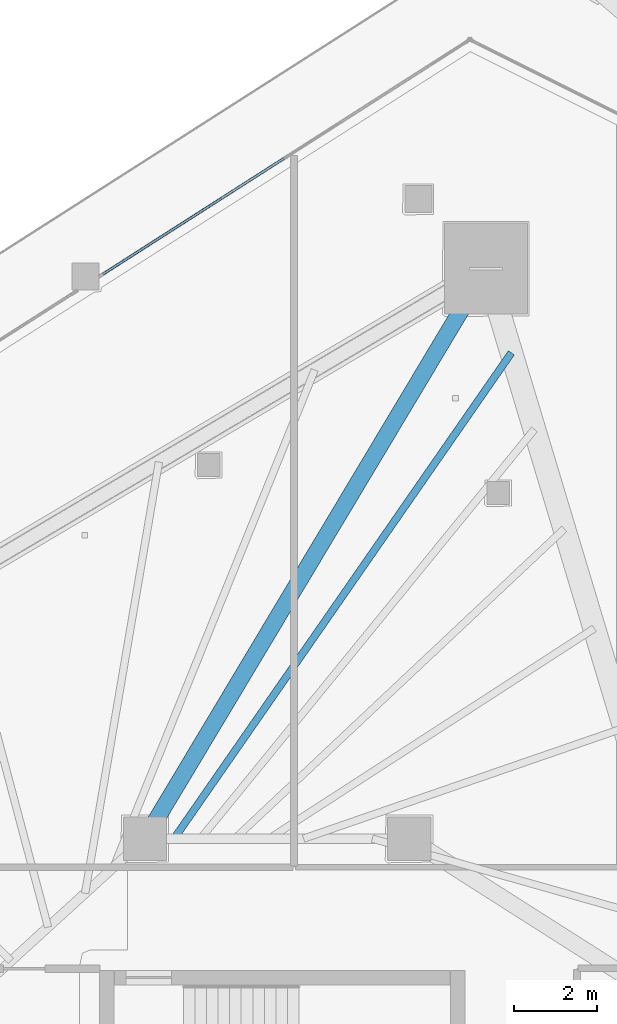
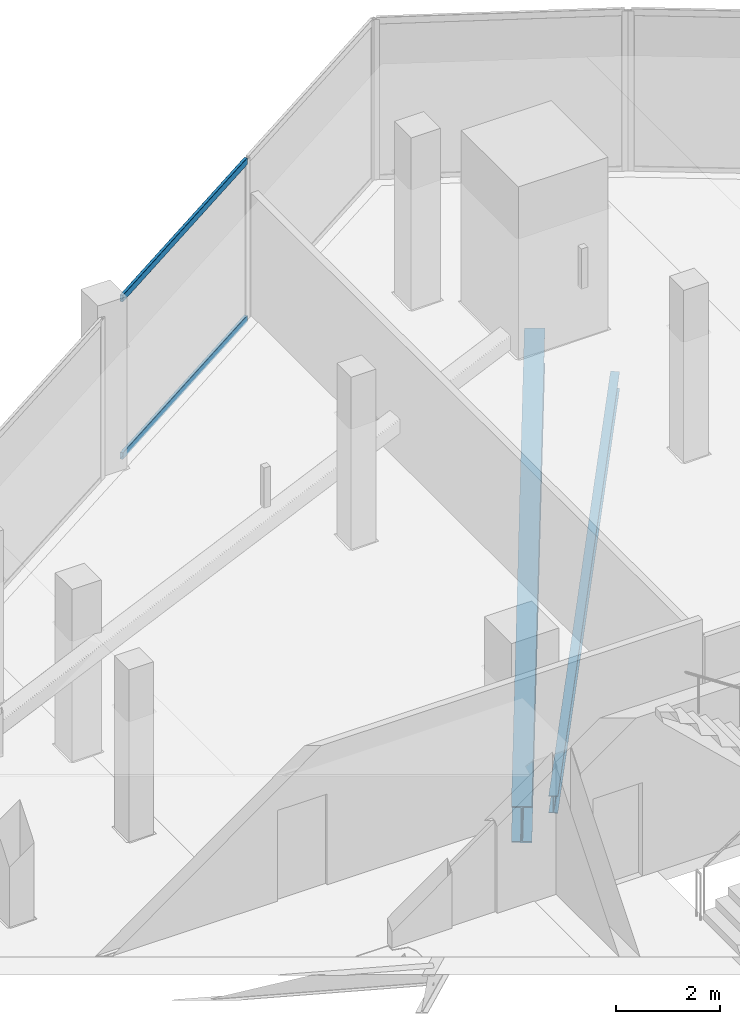
# One storey, part 22 of 45: 2 beams, 2 members, 1 element without a shape of its own.
"""IFC4 building model written with IfcOpenShell, lengths in metres."""

from ifc_helpers import new_model, si_unit, direction, frame, origin, origin_2d, place, context, subcontext, project, spatial, hollow_rectangle, i_section, extrude, material, layer, layer_set, material_profile, profile_set, type_object, element, aggregate, save


model = new_model("IFC4")

# Units and contexts
model_context = context("Model", 3, precision=1e-05, world=origin(), true_north=direction((0.0, 1.0)))
body_context = subcontext(model_context, "Body", "Model", "MODEL_VIEW")
ifc_project = project(units=[si_unit("LENGTHUNIT", "METRE"), si_unit("AREAUNIT", "SQUARE_METRE"), si_unit("VOLUMEUNIT", "CUBIC_METRE"), si_unit("PLANEANGLEUNIT", "RADIAN"), si_unit("MASSUNIT", "GRAM", prefix="KILO")], contexts=[model_context])

# Site, building, storey
site_placement = place(None, origin())
site = spatial("IfcSite", under=ifc_project, at=site_placement, CompositionType="ELEMENT")
building_placement = place(site_placement, origin())
building = spatial("IfcBuilding", under=site, at=building_placement, Name="Qorvath Tower", CompositionType="ELEMENT")
storey_placement = place(building_placement, frame((0.0, 0.0, 126.0)))
storey = spatial("IfcBuildingStorey", under=building, at=storey_placement, Name="L28", CompositionType="ELEMENT", Elevation=126.0)

# Beams
ifc_material_1 = material(Name="Steel ASTM A992 Grade 50", Category="steel")
ifc_material_profile_1 = material_profile(ifc_material_1, i_section(OverallWidth=0.39892578125, OverallDepth=0.85498046875, WebThickness=0.018310546875, FlangeThickness=0.029296875, FilletRadius=0.02001953125, at=origin_2d()), Name="W33x201")
ifc_profile_set_1 = profile_set([ifc_material_profile_1], Name="Steel ASTM A992 Grade 50")
beam_type_1 = type_object("IfcBeamType", Name="BM-FG2", PredefinedType="BEAM", material=ifc_profile_set_1)
beam_1_placement = place(storey_placement, frame((-23.60009765625, 11.449951171875, -0.70751953125), z_axis=(0.513497213955, 0.85809126045, 0.0), x_axis=(-0.85809126045, 0.513497213955, 0.0)))
element("IfcBeam", 1, at=beam_1_placement, inside=storey, type_object=beam_type_1, Name="Radial Floor Girder CC1-MC6 L28", PredefinedType="BEAM", context=body_context, shape_type="SweptSolid", body=[
    extrude(i_section(OverallWidth=0.39892578125, OverallDepth=0.85498046875, WebThickness=0.018310546875, FlangeThickness=0.029296875, FilletRadius=0.02001953125, at=origin_2d()), origin(), (0.0, 0.0, 1.0), 16.07763671875),
])
ifc_material_2 = material(Name="Steel ASTM A992 Grade 50", Category="steel")
ifc_material_profile_2 = material_profile(ifc_material_2, i_section(OverallWidth=0.177978515625, OverallDepth=0.406005859375, WebThickness=0.0078125, FlangeThickness=0.0126953125, FilletRadius=0.010986328125, at=origin_2d()), Name="W16x40")
ifc_profile_set_2 = profile_set([ifc_material_profile_2], Name="Steel ASTM A992 Grade 50")
beam_type_2 = type_object("IfcBeamType", Name="BM-FJ3", PredefinedType="JOIST", material=ifc_profile_set_2)
beam_2_placement = place(storey_placement, frame((-22.89599609375, 11.449951171875, -0.48291015625), z_axis=(0.570366725248, 0.821390162304, 0.0), x_axis=(-0.821390162304, 0.570366725248, 0.0)))
element("IfcBeam", 2, at=beam_2_placement, inside=storey, type_object=beam_type_2, Name="Composite Floor Joist NE7 L28", PredefinedType="JOIST", context=body_context, shape_type="SweptSolid", body=[
    extrude(i_section(OverallWidth=0.177978515625, OverallDepth=0.406005859375, WebThickness=0.0078125, FlangeThickness=0.0126953125, FilletRadius=0.010986328125, at=origin_2d()), origin(), (0.0, 0.0, 1.0), 14.3154296875),
])

# Curtain wall, members
ifc_material_3 = material(Name="Anodised aluminium and triple low-E glass", Category="aluminium")
ifc_layer = layer(ifc_material_3, 0.179931640625)
ifc_layer_set = layer_set([ifc_layer], Name="CW-SYS-2")
curtain_wall_type = type_object("IfcCurtainWallType", Name="CW-SYS-2", PredefinedType="NOTDEFINED", material=ifc_layer_set)
curtain_wall_placement = place(storey_placement, origin())
curtain_wall = element("IfcCurtainWall", 3, at=curtain_wall_placement, inside=storey, type_object=curtain_wall_type, Name="Curtain Wall CW-2 CW-T-L28-16.1", PredefinedType="NOTDEFINED")
ifc_material_4 = material(Name="Anodised aluminium 6063-T6", Category="aluminium")
ifc_material_profile_3 = material_profile(ifc_material_4, hollow_rectangle(XDim=0.06494140625, YDim=0.159912109375, WallThickness=0.00341796875, InnerFilletRadius=0.00341796875, OuterFilletRadius=0.007080078125, at=origin_2d()), Name="CWT 160x65")
ifc_profile_set_3 = profile_set([ifc_material_profile_3], Name="Anodised aluminium 6063-T6")
member_type = type_object("IfcMemberType", Name="CWT-160", PredefinedType="USERDEFINED", material=ifc_profile_set_3)
member_1_placement = place(storey_placement, frame((-20.2294921875, 27.91796875, 0.032470703125), z_axis=(-0.842602796166, -0.538535540047, 0.0), x_axis=(0.538535540047, -0.842602796166, 0.0)))
member_1 = element("IfcMember", 4, at=member_1_placement, type_object=member_type, Name="CW-2 transom 2.1", ObjectType="TRANSOM", PredefinedType="USERDEFINED", context=body_context, shape_type="SweptSolid", body=[
    extrude(hollow_rectangle(XDim=0.06494140625, YDim=0.159912109375, WallThickness=0.00341796875, InnerFilletRadius=0.00341796875, OuterFilletRadius=0.007080078125, at=origin_2d()), origin(), (0.0, 0.0, 1.0), 5.2021484375),
])
member_2_placement = place(storey_placement, frame((-20.2294921875, 27.91796875, 3.737548828125), z_axis=(-0.842602796166, -0.538535540047, 0.0), x_axis=(0.538535540047, -0.842602796166, 0.0)))
member_2 = element("IfcMember", 5, at=member_2_placement, type_object=member_type, Name="CW-2 transom 2.2", ObjectType="TRANSOM", PredefinedType="USERDEFINED", context=body_context, shape_type="SweptSolid", body=[
    extrude(hollow_rectangle(XDim=0.06494140625, YDim=0.159912109375, WallThickness=0.00341796875, InnerFilletRadius=0.00341796875, OuterFilletRadius=0.007080078125, at=origin_2d()), origin(), (0.0, 0.0, 1.0), 5.2021484375),
])
aggregate(curtain_wall, [member_1, member_2])

save(model, "model.ifc")
